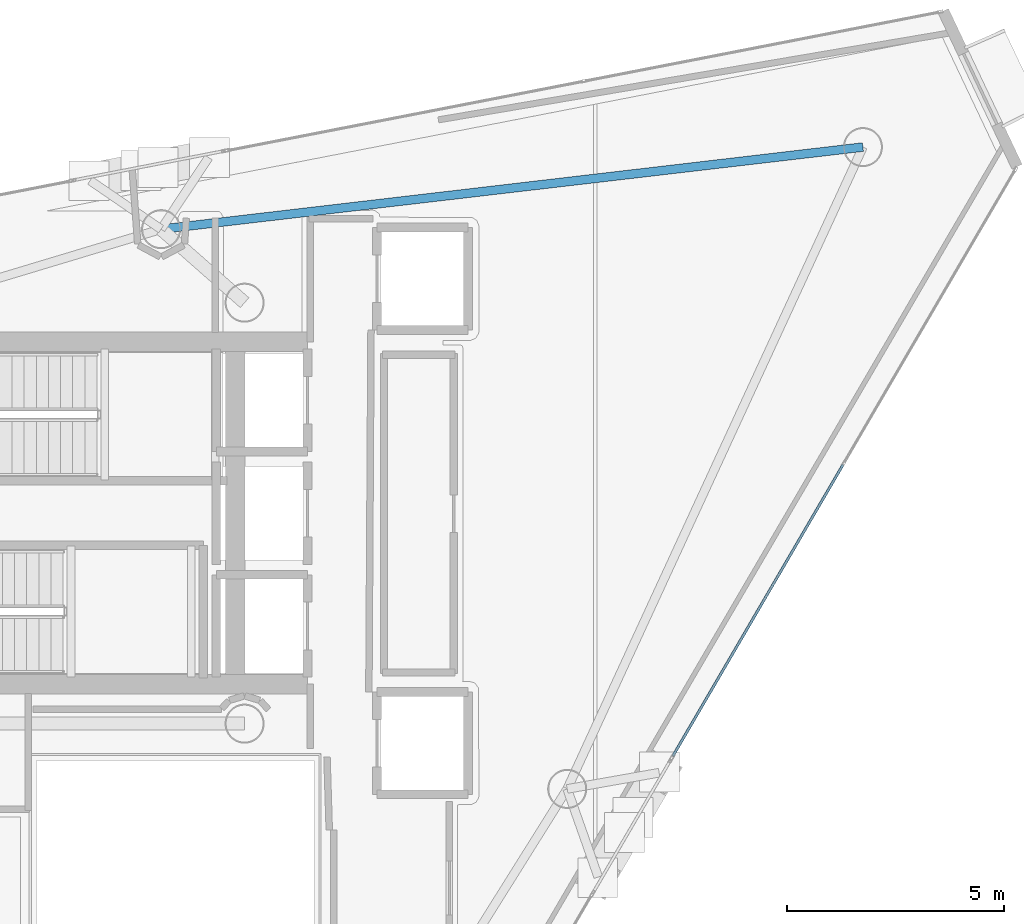
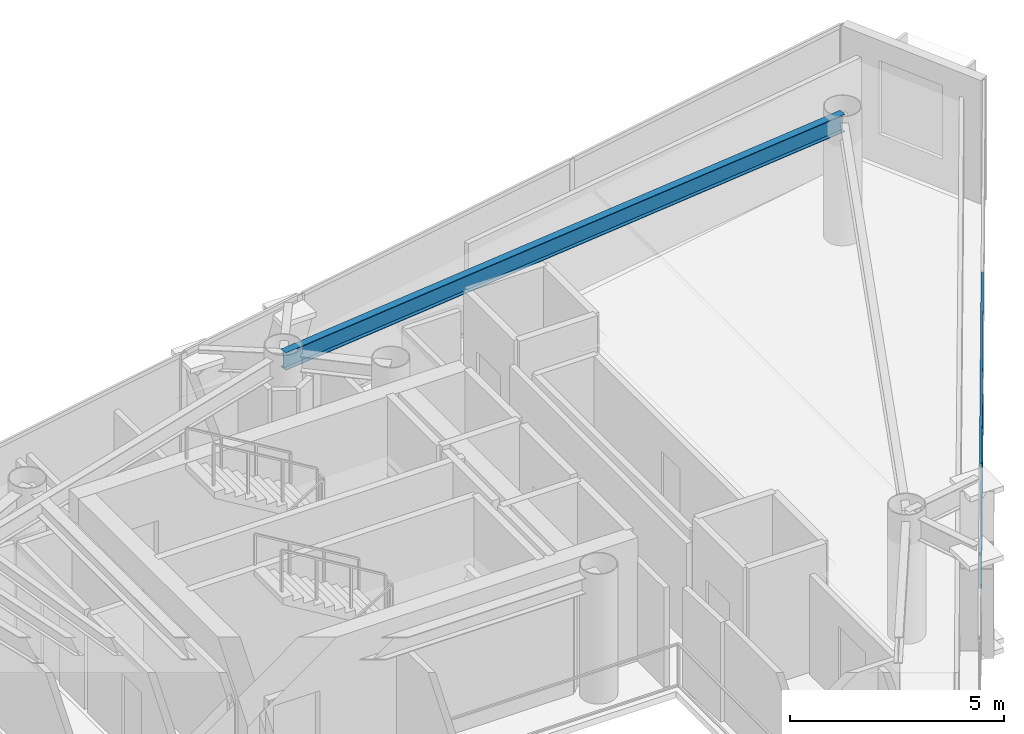
# One storey, part 15 of 22: 2 members, 1 beam, 1 element without a shape of its own.
"""IFC4 building model written with IfcOpenShell, lengths in metres."""

from ifc_helpers import new_model, si_unit, direction, frame, origin, origin_2d, place, context, subcontext, project, spatial, hollow_rectangle, i_section, extrude, material, layer, layer_set, material_profile, profile_set, type_object, element, aggregate, save


model = new_model("IFC4")

# Units and contexts
model_context = context("Model", 3, precision=1e-05, world=origin(), true_north=direction((0.0, 1.0)))
body_context = subcontext(model_context, "Body", "Model", "MODEL_VIEW")
ifc_project = project(units=[si_unit("LENGTHUNIT", "METRE"), si_unit("AREAUNIT", "SQUARE_METRE"), si_unit("VOLUMEUNIT", "CUBIC_METRE"), si_unit("PLANEANGLEUNIT", "RADIAN"), si_unit("MASSUNIT", "GRAM", prefix="KILO")], contexts=[model_context])

# Site, building, storey
site_placement = place(None, origin())
site = spatial("IfcSite", under=ifc_project, at=site_placement, CompositionType="ELEMENT")
building_placement = place(site_placement, origin())
building = spatial("IfcBuilding", under=site, at=building_placement, Name="Qianvela Tower", CompositionType="ELEMENT")
storey_placement = place(building_placement, frame((0.0, 0.0, 299.10009765625)))
storey = spatial("IfcBuildingStorey", under=building, at=storey_placement, Name="L77", CompositionType="ELEMENT", Elevation=299.10009765625)

# Beam
ifc_material_1 = material(Name="Steel Q355B", Category="steel")
ifc_material_profile_1 = material_profile(ifc_material_1, i_section(OverallWidth=0.199951171875, OverallDepth=0.5, WebThickness=0.010009765625, FlangeThickness=0.01611328125, at=origin_2d()), Name="HN500x200x10x16")
ifc_profile_set_1 = profile_set([ifc_material_profile_1], Name="Steel Q355B")
beam_type = type_object("IfcBeamType", Name="BM-HN500-GIRD", PredefinedType="BEAM", material=ifc_profile_set_1)
beam_placement = place(storey_placement, frame((52.64794921875, 37.135009765625, 3.267822265625), z_axis=(-0.993225117092, -0.116206139153, 0.0), x_axis=(0.116206139153, -0.993225117092, 0.0)))
element("IfcBeam", 1, at=beam_placement, inside=storey, type_object=beam_type, Name="L77 Perimeter Ring Spandrel Girder 1", PredefinedType="BEAM", context=body_context, shape_type="SweptSolid", body=[
    extrude(i_section(OverallWidth=0.199951171875, OverallDepth=0.5, WebThickness=0.010009765625, FlangeThickness=0.01611328125, at=origin_2d()), origin(), (0.0, 0.0, 1.0), 16.2822265625),
])

# Curtain wall, members
ifc_material_2 = material(Name="Anodised Architectural Aluminium and Low-E Glass", Category="aluminium")
ifc_layer = layer(ifc_material_2, 0.14990234375)
ifc_layer_set = layer_set([ifc_layer], Name="Anodised Architectural Aluminium and Low-E Glass")
curtain_wall_type = type_object("IfcCurtainWallType", Name="CW-COLIV-Z78", PredefinedType="USERDEFINED", material=ifc_layer_set)
curtain_wall_placement = place(storey_placement, origin())
curtain_wall = element("IfcCurtainWall", 2, at=curtain_wall_placement, inside=storey, type_object=curtain_wall_type, Name="L77 CW-COLIV-Z78 Curtain Wall 06C", ObjectType="CURTAIN_WALL_SYSTEM", PredefinedType="USERDEFINED")
ifc_material_3 = material(Name="Anodised Architectural Aluminium 6063-T6", Category="aluminium")
ifc_material_profile_2 = material_profile(ifc_material_3, hollow_rectangle(XDim=0.06005859375, YDim=0.114990234375, WallThickness=0.00390625, at=origin_2d()), Name="ALU-TRAN-60x115")
ifc_profile_set_2 = profile_set([ifc_material_profile_2], Name="Anodised Architectural Aluminium 6063-T6")
member_type = type_object("IfcMemberType", Name="CW-COLIV-Z78-TRAN", PredefinedType="USERDEFINED", material=ifc_profile_set_2)
member_1_placement = place(storey_placement, frame((48.271240234375, 23.106201171875, 0.02978515625), z_axis=(0.504329708279, 0.863511172682, 0.0), x_axis=(-0.863511172682, 0.504329708279, 0.0)))
member_1 = element("IfcMember", 3, at=member_1_placement, type_object=member_type, Name="CW-6 transom 1.1", ObjectType="TRANSOM", PredefinedType="USERDEFINED", context=body_context, shape_type="SweptSolid", body=[
    extrude(hollow_rectangle(XDim=0.06005859375, YDim=0.114990234375, WallThickness=0.00390625, at=origin_2d()), origin(), (0.0, 0.0, 1.0), 7.77587890625),
])
member_2_placement = place(storey_placement, frame((48.271240234375, 23.106201171875, 3.489990234375), z_axis=(0.504329708279, 0.863511172682, 0.0), x_axis=(-0.863511172682, 0.504329708279, 0.0)))
member_2 = element("IfcMember", 4, at=member_2_placement, type_object=member_type, Name="CW-6 transom 1.2", ObjectType="TRANSOM", PredefinedType="USERDEFINED", context=body_context, shape_type="SweptSolid", body=[
    extrude(hollow_rectangle(XDim=0.06005859375, YDim=0.114990234375, WallThickness=0.00390625, at=origin_2d()), origin(), (0.0, 0.0, 1.0), 7.77587890625),
])
aggregate(curtain_wall, [member_1, member_2])

save(model, "model.ifc")
